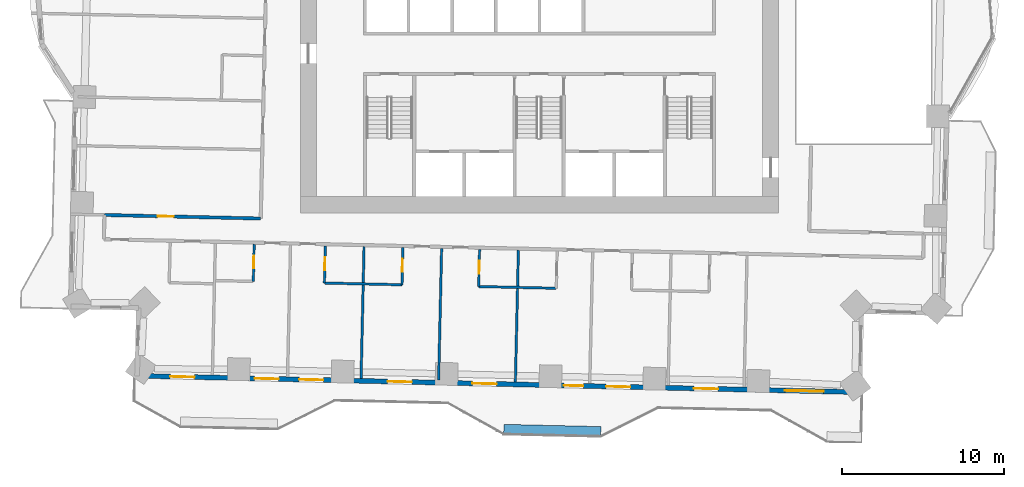
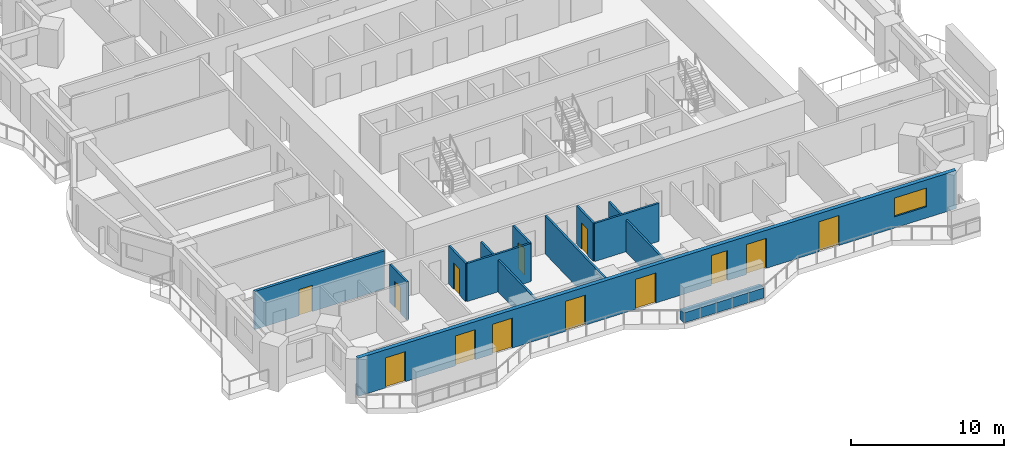
# One storey, part 6 of 16: 13 doors, 12 walls, 1 window, 14 openings.
"""IFC4 building model written with IfcOpenShell, lengths in metres."""

import ifcopenshell
import ifcopenshell.guid

model = None  # the IFC model being written
_history = None  # IfcOwnerHistory: only IFC2X3 demands one
_inside = {}  # id of a spatial element -> (the spatial element, [elements in it])
_under = {}  # id of a project, library or spatial element -> (it, [spatial elements below it])
_declared = {}  # id of a project -> (the project, [libraries it declares])
_typed = {}  # id of a type object -> (the type object, [elements of that type])
_made_of = {}  # id of a material, layer set ... -> (it, [elements and type objects made of it])


def new_model(schema):
    """Start an empty IFC model of exactly this schema.

    Asked for "IFC4X3", IfcOpenShell would pick the latest addendum, in which some entities
    have other attributes; the version numbers below select the first issue.
    IFC2X3 requires an IfcOwnerHistory on every rooted entity: one is made here for all.
    """
    global model, _history
    if schema == "IFC4X3":
        model = ifcopenshell.file(schema_version=(4, 3, 0, 0))
    else:
        model = ifcopenshell.file(schema=schema)
    _inside.clear()
    _under.clear()
    _declared.clear()
    _typed.clear()
    _made_of.clear()
    _history = None
    if model.schema == "IFC2X3":
        org = make("IfcOrganization", Name="unknown")
        user = make(
            "IfcPersonAndOrganization",
            ThePerson=make("IfcPerson", FamilyName="unknown"),
            TheOrganization=org,
        )
        app = make(
            "IfcApplication",
            ApplicationDeveloper=org,
            Version="unknown",
            ApplicationFullName="unknown",
            ApplicationIdentifier="unknown",
        )
        _history = make(
            "IfcOwnerHistory",
            OwningUser=user,
            OwningApplication=app,
            ChangeAction="ADDED",
            CreationDate=0,
        )
    return model


def make(cls, **values):
    """One entity of the class cls with the attributes given. An attribute that is None is left unset."""
    return model.create_entity(
        cls, **{name: value for name, value in values.items() if value is not None}
    )


def rooted(cls, **values):
    """An entity with a GlobalId (a new one), such as an element, a storey or a relation."""
    return make(cls, GlobalId=ifcopenshell.guid.new(), OwnerHistory=_history, **values)


def si_unit(unit_type, name, prefix=None):
    """IfcSIUnit, for example si_unit("LENGTHUNIT", "METRE", prefix="MILLI")."""
    return make("IfcSIUnit", UnitType=unit_type, Prefix=prefix, Name=name)


def assignment(units):
    """IfcUnitAssignment: the units of a project."""
    return None if units is None else make("IfcUnitAssignment", Units=units)


def point(xyz):
    """IfcCartesianPoint."""
    return None if xyz is None else make("IfcCartesianPoint", Coordinates=xyz)


def direction(xyz):
    """IfcDirection."""
    return None if xyz is None else make("IfcDirection", DirectionRatios=xyz)


def frame(location, z_axis=None, x_axis=None):
    """IfcAxis2Placement3D, a coordinate frame: its origin and axes. An axis left out is left unset."""
    return make(
        "IfcAxis2Placement3D",
        Location=point(location),
        Axis=direction(z_axis),
        RefDirection=direction(x_axis),
    )


def frame_2d(location, x_axis=None):
    """IfcAxis2Placement2D, a coordinate frame in the plane: its origin and x axis."""
    return make(
        "IfcAxis2Placement2D", Location=point(location), RefDirection=direction(x_axis)
    )


def origin():
    """The frame at (0, 0, 0) with its axes left unset."""
    return frame((0.0, 0.0, 0.0))


def place(relative_to, where):
    """IfcLocalPlacement: puts the frame where relative to a parent placement (None: the world)."""
    return make(
        "IfcLocalPlacement", PlacementRelTo=relative_to, RelativePlacement=where
    )


def context(
    kind, dimensions, precision=None, world=None, true_north=None, identifier=None
):
    """IfcGeometricRepresentationContext, for example the 3D "Model" context."""
    return make(
        "IfcGeometricRepresentationContext",
        ContextIdentifier=identifier,
        ContextType=kind,
        CoordinateSpaceDimension=dimensions,
        Precision=precision,
        WorldCoordinateSystem=world,
        TrueNorth=true_north,
    )


def subcontext(parent, identifier, kind, view, scale=None):
    """IfcGeometricRepresentationSubContext, for example "Body" below "Model"."""
    return make(
        "IfcGeometricRepresentationSubContext",
        ContextIdentifier=identifier,
        ContextType=kind,
        ParentContext=parent,
        TargetScale=scale,
        TargetView=view,
    )


def project(units=None, contexts=None):
    """IfcProject with its units and contexts."""
    return rooted(
        "IfcProject",
        Name="project",
        RepresentationContexts=contexts,
        UnitsInContext=assignment(units),
    )


def spatial(cls, under=None, at=None, **own):
    """A site, building, storey or space (cls), placed at a placement, below another one or the project."""
    s = rooted(cls, ObjectPlacement=at, **own)
    if under is not None:
        _under.setdefault(under.id(), (under, []))[1].append(s)
    return s


def profile(cls, at=None, kind="AREA", **sizes):
    """A parametric profile (cls). Its sizes go by their IFC names, for example OverallWidth=200.0."""
    return make(cls, ProfileType=kind, Position=at, **sizes)


def rectangle(**sizes):
    """IfcRectangleProfileDef."""
    return profile("IfcRectangleProfileDef", **sizes)


def extrude(swept, where, along, depth):
    """IfcExtrudedAreaSolid: the profile swept, set in the frame where, extruded along a direction by depth."""
    return make(
        "IfcExtrudedAreaSolid",
        SweptArea=swept,
        Position=where,
        ExtrudedDirection=direction(along),
        Depth=depth,
    )


def shape(context_of_items, identifier, shape_type, items):
    """IfcShapeRepresentation: the items that make up one representation, for example the "Body"."""
    return make(
        "IfcShapeRepresentation",
        ContextOfItems=context_of_items,
        RepresentationIdentifier=identifier,
        RepresentationType=shape_type,
        Items=items,
    )


def material(Name=None, Category=None):
    """IfcMaterial."""
    return make("IfcMaterial", Name=Name, Category=Category)


def layer(
    of_material, thickness, ventilated=None, Name=None, Category=None, Priority=None
):
    """IfcMaterialLayer: one layer of a wall or slab, of a material (None: an air gap)."""
    return make(
        "IfcMaterialLayer",
        Material=of_material,
        LayerThickness=thickness,
        IsVentilated=ventilated,
        Name=Name,
        Category=Category,
        Priority=Priority,
    )


def layer_set(layers, Name=None):
    """IfcMaterialLayerSet."""
    return make("IfcMaterialLayerSet", MaterialLayers=layers, LayerSetName=Name)


def made_of(thing, what):
    """Note that an element or type object is made of a material, layer set ...; save() writes the relation."""
    if what is not None:
        _made_of.setdefault(what.id(), (what, []))[1].append(thing)
    return thing


def type_object(cls, material=None, **own):
    """A type object (cls), such as IfcWallType, which elements share."""
    return made_of(rooted(cls, **own), material)


def element(
    cls,
    number,
    at=None,
    inside=None,
    cuts=None,
    type_object=None,
    material=None,
    context=None,
    identifier="Body",
    shape_type=None,
    held_by="IfcProductDefinitionShape",
    body=None,
    shapes=None,
    **own,
):
    """One element of the class cls, such as IfcWall. Its Tag is "e" and its number.

    at: its placement. inside: the storey or other place that contains it. cuts: it is an
    opening in that element (IfcRelVoidsElement). A single representation is given by context,
    identifier, shape_type and body (its items); several are given by shapes. held_by: the class
    of the entity that holds the representations. save() writes the other relations.
    """
    e = rooted(cls, Tag="e%d" % number, ObjectPlacement=at, **own)
    if body is not None:
        shapes = [shape(context, identifier, shape_type, body)]
    if shapes is not None:
        e.Representation = make(held_by, Representations=shapes)
    if inside is not None:
        _inside.setdefault(inside.id(), (inside, []))[1].append(e)
    if cuts is not None:
        rooted(
            "IfcRelVoidsElement", RelatingBuildingElement=cuts, RelatedOpeningElement=e
        )
    if type_object is not None:
        _typed.setdefault(type_object.id(), (type_object, []))[1].append(e)
    return made_of(e, material)


def fill(opening, filler):
    """IfcRelFillsElement: the door or window that sits in an opening."""
    return rooted(
        "IfcRelFillsElement",
        RelatingOpeningElement=opening,
        RelatedBuildingElement=filler,
    )


def aggregate(whole, parts):
    """IfcRelAggregates: a whole, such as a stair, and the parts it consists of."""
    return rooted("IfcRelAggregates", RelatingObject=whole, RelatedObjects=parts)


def save(model, path):
    """Write the relations noted so far, then the file.

    IfcRelAggregates (storeys below a building ...), IfcRelContainedInSpatialStructure (elements
    in a storey), IfcRelDefinesByType, IfcRelAssociatesMaterial and IfcRelDeclares: one each for
    every whole, place, type object, material and project.
    """
    for whole, parts in _under.values():
        aggregate(whole, parts)
    for where, things in _inside.values():
        rooted(
            "IfcRelContainedInSpatialStructure",
            RelatedElements=things,
            RelatingStructure=where,
        )
    for kind, things in _typed.values():
        rooted("IfcRelDefinesByType", RelatedObjects=things, RelatingType=kind)
    for what, things in _made_of.values():
        rooted("IfcRelAssociatesMaterial", RelatedObjects=things, RelatingMaterial=what)
    for by, libraries in _declared.values():
        rooted("IfcRelDeclares", RelatingContext=by, RelatedDefinitions=libraries)
    model.write(path)


model = new_model("IFC4")

# Units and contexts
model_context = context("Model", 3, precision=1e-05, world=origin(), true_north=direction((0.0, 1.0)))
body_context = subcontext(model_context, "Body", "Model", "MODEL_VIEW")
ifc_project = project(units=[si_unit("LENGTHUNIT", "METRE"), si_unit("AREAUNIT", "SQUARE_METRE"), si_unit("VOLUMEUNIT", "CUBIC_METRE"), si_unit("PLANEANGLEUNIT", "RADIAN"), si_unit("MASSUNIT", "GRAM", prefix="KILO")], contexts=[model_context])

# Site, building, storey
site_placement = place(None, origin())
site = spatial("IfcSite", under=ifc_project, at=site_placement, CompositionType="ELEMENT")
building_placement = place(site_placement, origin())
building = spatial("IfcBuilding", under=site, at=building_placement, Name="Mangrove Gate Tower", CompositionType="ELEMENT")
storey_placement = place(building_placement, frame((0.0, 0.0, 109.10009765625)))
storey = spatial("IfcBuildingStorey", under=building, at=storey_placement, Name="L27", CompositionType="ELEMENT", Elevation=109.10009765625)

# Wall, opening, door
ifc_material_1 = material(Name="Gypsum board on steel stud, EI 60", Category="steel")
ifc_layer_1 = layer(ifc_material_1, 0.199951171875)
ifc_layer_set_1 = layer_set([ifc_layer_1], Name="Corridor wall EI 60")
wall_type_1 = type_object("IfcWallType", Name="Corridor wall EI 60", PredefinedType="PARTITIONING", material=ifc_layer_set_1)
wall_1_placement = place(storey_placement, frame((-26.9189453125, -11.928955078125, 0.0), z_axis=(0.0, 0.0, 1.0), x_axis=(0.999741418429, -0.022739751035, 0.0)))
wall_1 = element("IfcWall", 1, at=wall_1_placement, inside=storey, type_object=wall_type_1, Name="WALL-L27-026", PredefinedType="PARTITIONING", context=body_context, shape_type="SweptSolid", body=[
    extrude(rectangle(XDim=9.67333984375, YDim=0.199951171875, at=frame_2d((4.836669921875, 0.0))), origin(), (0.0, 0.0, 1.0), 3.0498046875),
])
opening_1_placement = place(wall_1_placement, frame((3.287109375, 0.0, 0.0)))
opening_1 = element("IfcOpeningElement", 2, at=opening_1_placement, cuts=wall_1, Name="Opening AD", PredefinedType="OPENING", context=body_context, shape_type="SweptSolid", body=[
    extrude(rectangle(XDim=1.0, YDim=2.10009765625, at=frame_2d((0.5, 1.050048828125))), frame((0.0, 0.10986328125, 0.0), z_axis=(0.0, -1.0, 0.0), x_axis=(1.0, 0.0, 0.0)), (0.0, 0.0, 1.0), 0.219970703125),
])
ifc_material_2 = material(Name="Timber door leaf", Category="wood")
door_type_1 = type_object("IfcDoorType", Name="Amenity door 1000", OperationType="SINGLE_SWING_LEFT", PredefinedType="DOOR", material=ifc_material_2)
door_1_placement = place(opening_1_placement, origin())
door_1 = element("IfcDoor", 3, at=door_1_placement, inside=storey, type_object=door_type_1, Name="DOOR-L27-LNG-c5a", OperationType="SINGLE_SWING_RIGHT", OverallHeight=2.10009765625, OverallWidth=1.0, PredefinedType="DOOR", context=body_context, shape_type="SweptSolid", body=[
    extrude(rectangle(XDim=1.0, YDim=2.10009765625, at=frame_2d((0.5, 1.050048828125))), frame((0.0, 0.02490234375, 0.0), z_axis=(0.0, -1.0, 0.0), x_axis=(1.0, 0.0, 0.0)), (0.0, 0.0, 1.0), 0.050048828125),
])
fill(opening_1, door_1)

# Wall, openings, doors, window
ifc_material_3 = material(Name="Limestone", Category="masonry")
ifc_layer_2 = layer(ifc_material_3, 0.0400390625, Name="Limestone cladding")
ifc_material_4 = material(Name="Ventilated air gap")
ifc_layer_3 = layer(ifc_material_4, 0.0400390625, Name="Ventilated cavity")
ifc_material_5 = material(Name="Mineral wool insulation")
ifc_layer_4 = layer(ifc_material_5, 0.06005859375, Name="Insulation")
ifc_material_6 = material(Name="Breather membrane")
ifc_layer_5 = layer(ifc_material_6, 0.001953125, Name="Breather membrane")
ifc_material_7 = material(Name="Concrete C20/25 blockwork", Category="masonry")
ifc_layer_6 = layer(ifc_material_7, 0.14990234375, Name="Blockwork backing wall")
ifc_material_8 = material(Name="Gypsum plaster")
ifc_layer_7 = layer(ifc_material_8, 0.008056640625, Name="Internal plaster")
ifc_layer_set_2 = layer_set([ifc_layer_2, ifc_layer_3, ifc_layer_4, ifc_layer_5, ifc_layer_6, ifc_layer_7], Name="External wall 300 limestone cladding")
wall_type_2 = type_object("IfcWallType", Name="External wall 300 limestone cladding", PredefinedType="SOLIDWALL", material=ifc_layer_set_2)
wall_2_placement = place(storey_placement, frame((-24.89404296875, -21.8779296875, 0.0), z_axis=(0.0, 0.0, 1.0), x_axis=(0.999742689045, -0.022683820265, 0.0)))
wall_2 = element("IfcWall", 4, at=wall_2_placement, inside=storey, type_object=wall_type_2, Name="WALL-L27-S13", PredefinedType="SOLIDWALL", context=body_context, shape_type="SweptSolid", body=[
    extrude(rectangle(XDim=44.70849609375, YDim=0.300048828125, at=frame_2d((22.354248046875, 0.0))), origin(), (0.0, 0.0, 1.0), 3.0498046875),
])
opening_2_placement = place(wall_2_placement, frame((2.051025390625, 0.0, 0.0)))
opening_2 = element("IfcOpeningElement", 5, at=opening_2_placement, cuts=wall_2, Name="Opening BD1", PredefinedType="OPENING", context=body_context, shape_type="SweptSolid", body=[
    extrude(rectangle(XDim=1.5, YDim=2.39990234375, at=frame_2d((0.75, 1.199951171875))), frame((0.0, 0.159912109375, 0.0), z_axis=(0.0, -1.0, 0.0), x_axis=(1.0, 0.0, 0.0)), (0.0, 0.0, 1.0), 0.320068359375),
])
opening_3_placement = place(wall_2_placement, frame((7.264892578125, 0.0, 0.0)))
opening_3 = element("IfcOpeningElement", 6, at=opening_3_placement, cuts=wall_2, Name="Opening BD1", PredefinedType="OPENING", context=body_context, shape_type="SweptSolid", body=[
    extrude(rectangle(XDim=1.5, YDim=2.39990234375, at=frame_2d((0.75, 1.199951171875))), frame((0.0, 0.159912109375, 0.0), z_axis=(0.0, -1.0, 0.0), x_axis=(1.0, 0.0, 0.0)), (0.0, 0.0, 1.0), 0.320068359375),
])
opening_4_placement = place(wall_2_placement, frame((10.030029296875, 0.0, 0.0)))
opening_4 = element("IfcOpeningElement", 7, at=opening_4_placement, cuts=wall_2, Name="Opening BD1", PredefinedType="OPENING", context=body_context, shape_type="SweptSolid", body=[
    extrude(rectangle(XDim=1.5, YDim=2.39990234375, at=frame_2d((0.75, 1.199951171875))), frame((0.0, 0.159912109375, 0.0), z_axis=(0.0, -1.0, 0.0), x_axis=(1.0, 0.0, 0.0)), (0.0, 0.0, 1.0), 0.320068359375),
])
opening_5_placement = place(wall_2_placement, frame((15.5, 0.0, 0.0)))
opening_5 = element("IfcOpeningElement", 8, at=opening_5_placement, cuts=wall_2, Name="Opening BD1", PredefinedType="OPENING", context=body_context, shape_type="SweptSolid", body=[
    extrude(rectangle(XDim=1.5, YDim=2.39990234375, at=frame_2d((0.75, 1.199951171875))), frame((0.0, 0.159912109375, 0.0), z_axis=(0.0, -1.0, 0.0), x_axis=(1.0, 0.0, 0.0)), (0.0, 0.0, 1.0), 0.320068359375),
])
opening_6_placement = place(wall_2_placement, frame((20.7451171875, 0.0, 0.0)))
opening_6 = element("IfcOpeningElement", 9, at=opening_6_placement, cuts=wall_2, Name="Opening BD1", PredefinedType="OPENING", context=body_context, shape_type="SweptSolid", body=[
    extrude(rectangle(XDim=1.5, YDim=2.39990234375, at=frame_2d((0.75, 1.199951171875))), frame((0.0, 0.159912109375, 0.0), z_axis=(0.0, -1.0, 0.0), x_axis=(1.0, 0.0, 0.0)), (0.0, 0.0, 1.0), 0.320068359375),
])
opening_7_placement = place(wall_2_placement, frame((26.409912109375, 0.0, 0.0)))
opening_7 = element("IfcOpeningElement", 10, at=opening_7_placement, cuts=wall_2, Name="Opening BD2", PredefinedType="OPENING", context=body_context, shape_type="SweptSolid", body=[
    extrude(rectangle(XDim=1.199951171875, YDim=2.39990234375, at=frame_2d((0.60009765625, 1.199951171875))), frame((0.0, 0.159912109375, 0.0), z_axis=(0.0, -1.0, 0.0), x_axis=(1.0, 0.0, 0.0)), (0.0, 0.0, 1.0), 0.320068359375),
])
opening_8_placement = place(wall_2_placement, frame((29.02392578125, 0.0, 0.0)))
opening_8 = element("IfcOpeningElement", 11, at=opening_8_placement, cuts=wall_2, Name="Opening BD1", PredefinedType="OPENING", context=body_context, shape_type="SweptSolid", body=[
    extrude(rectangle(XDim=1.5, YDim=2.39990234375, at=frame_2d((0.75, 1.199951171875))), frame((0.0, 0.159912109375, 0.0), z_axis=(0.0, -1.0, 0.0), x_axis=(1.0, 0.0, 0.0)), (0.0, 0.0, 1.0), 0.320068359375),
])
opening_9_placement = place(wall_2_placement, frame((34.449951171875, 0.0, 0.0)))
opening_9 = element("IfcOpeningElement", 12, at=opening_9_placement, cuts=wall_2, Name="Opening BD1", PredefinedType="OPENING", context=body_context, shape_type="SweptSolid", body=[
    extrude(rectangle(XDim=1.5, YDim=2.39990234375, at=frame_2d((0.75, 1.199951171875))), frame((0.0, 0.159912109375, 0.0), z_axis=(0.0, -1.0, 0.0), x_axis=(1.0, 0.0, 0.0)), (0.0, 0.0, 1.0), 0.320068359375),
])
opening_10_placement = place(wall_2_placement, frame((40.0869140625, 0.0, 0.89990234375)))
opening_10 = element("IfcOpeningElement", 13, at=opening_10_placement, cuts=wall_2, Name="Opening W2", PredefinedType="OPENING", context=body_context, shape_type="SweptSolid", body=[
    extrude(rectangle(XDim=2.39990234375, YDim=1.5, at=frame_2d((1.199951171875, 0.75))), frame((0.0, 0.159912109375, 0.0), z_axis=(0.0, -1.0, 0.0), x_axis=(1.0, 0.0, 0.0)), (0.0, 0.0, 1.0), 0.320068359375),
])
ifc_material_9 = material(Name="Aluminium frame with laminated clear glass", Category="aluminium")
door_type_2 = type_object("IfcDoorType", Name="Balcony sliding door 1200x2400", OperationType="SLIDING_TO_LEFT", PredefinedType="DOOR", material=ifc_material_9)
door_2_placement = place(opening_7_placement, origin())
door_2 = element("IfcDoor", 14, at=door_2_placement, inside=storey, type_object=door_type_2, Name="DOOR-L27-S13-6", OperationType="SLIDING_TO_LEFT", OverallHeight=2.39990234375, OverallWidth=1.199951171875, PredefinedType="DOOR", context=body_context, shape_type="SweptSolid", body=[
    extrude(rectangle(XDim=1.199951171875, YDim=2.39990234375, at=frame_2d((0.60009765625, 1.199951171875))), frame((0.0, 0.02490234375, 0.0), z_axis=(0.0, -1.0, 0.0), x_axis=(1.0, 0.0, 0.0)), (0.0, 0.0, 1.0), 0.050048828125),
])
fill(opening_7, door_2)
ifc_material_10 = material(Name="Aluminium frame with laminated clear glass", Category="aluminium")
door_type_3 = type_object("IfcDoorType", Name="Balcony sliding door 1500x2400", OperationType="SLIDING_TO_LEFT", PredefinedType="DOOR", material=ifc_material_10)
door_3_placement = place(opening_2_placement, origin())
door_3 = element("IfcDoor", 15, at=door_3_placement, inside=storey, type_object=door_type_3, Name="DOOR-L27-S13-1", OperationType="SLIDING_TO_LEFT", OverallHeight=2.39990234375, OverallWidth=1.5, PredefinedType="DOOR", context=body_context, shape_type="SweptSolid", body=[
    extrude(rectangle(XDim=1.5, YDim=2.39990234375, at=frame_2d((0.75, 1.199951171875))), frame((0.0, 0.02490234375, 0.0), z_axis=(0.0, -1.0, 0.0), x_axis=(1.0, 0.0, 0.0)), (0.0, 0.0, 1.0), 0.050048828125),
])
fill(opening_2, door_3)
door_4_placement = place(opening_3_placement, origin())
door_4 = element("IfcDoor", 16, at=door_4_placement, inside=storey, type_object=door_type_3, Name="DOOR-L27-S13-2", OperationType="SLIDING_TO_LEFT", OverallHeight=2.39990234375, OverallWidth=1.5, PredefinedType="DOOR", context=body_context, shape_type="SweptSolid", body=[
    extrude(rectangle(XDim=1.5, YDim=2.39990234375, at=frame_2d((0.75, 1.199951171875))), frame((0.0, 0.02490234375, 0.0), z_axis=(0.0, -1.0, 0.0), x_axis=(1.0, 0.0, 0.0)), (0.0, 0.0, 1.0), 0.050048828125),
])
fill(opening_3, door_4)
door_5_placement = place(opening_4_placement, origin())
door_5 = element("IfcDoor", 17, at=door_5_placement, inside=storey, type_object=door_type_3, Name="DOOR-L27-S13-3", OperationType="SLIDING_TO_LEFT", OverallHeight=2.39990234375, OverallWidth=1.5, PredefinedType="DOOR", context=body_context, shape_type="SweptSolid", body=[
    extrude(rectangle(XDim=1.5, YDim=2.39990234375, at=frame_2d((0.75, 1.199951171875))), frame((0.0, 0.02490234375, 0.0), z_axis=(0.0, -1.0, 0.0), x_axis=(1.0, 0.0, 0.0)), (0.0, 0.0, 1.0), 0.050048828125),
])
fill(opening_4, door_5)
door_6_placement = place(opening_5_placement, origin())
door_6 = element("IfcDoor", 18, at=door_6_placement, inside=storey, type_object=door_type_3, Name="DOOR-L27-S13-4", OperationType="SLIDING_TO_LEFT", OverallHeight=2.39990234375, OverallWidth=1.5, PredefinedType="DOOR", context=body_context, shape_type="SweptSolid", body=[
    extrude(rectangle(XDim=1.5, YDim=2.39990234375, at=frame_2d((0.75, 1.199951171875))), frame((0.0, 0.02490234375, 0.0), z_axis=(0.0, -1.0, 0.0), x_axis=(1.0, 0.0, 0.0)), (0.0, 0.0, 1.0), 0.050048828125),
])
fill(opening_5, door_6)
door_7_placement = place(opening_6_placement, origin())
door_7 = element("IfcDoor", 19, at=door_7_placement, inside=storey, type_object=door_type_3, Name="DOOR-L27-S13-5", OperationType="SLIDING_TO_LEFT", OverallHeight=2.39990234375, OverallWidth=1.5, PredefinedType="DOOR", context=body_context, shape_type="SweptSolid", body=[
    extrude(rectangle(XDim=1.5, YDim=2.39990234375, at=frame_2d((0.75, 1.199951171875))), frame((0.0, 0.02490234375, 0.0), z_axis=(0.0, -1.0, 0.0), x_axis=(1.0, 0.0, 0.0)), (0.0, 0.0, 1.0), 0.050048828125),
])
fill(opening_6, door_7)
door_8_placement = place(opening_8_placement, origin())
door_8 = element("IfcDoor", 20, at=door_8_placement, inside=storey, type_object=door_type_3, Name="DOOR-L27-S13-7", OperationType="SLIDING_TO_LEFT", OverallHeight=2.39990234375, OverallWidth=1.5, PredefinedType="DOOR", context=body_context, shape_type="SweptSolid", body=[
    extrude(rectangle(XDim=1.5, YDim=2.39990234375, at=frame_2d((0.75, 1.199951171875))), frame((0.0, 0.02490234375, 0.0), z_axis=(0.0, -1.0, 0.0), x_axis=(1.0, 0.0, 0.0)), (0.0, 0.0, 1.0), 0.050048828125),
])
fill(opening_8, door_8)
door_9_placement = place(opening_9_placement, origin())
door_9 = element("IfcDoor", 21, at=door_9_placement, inside=storey, type_object=door_type_3, Name="DOOR-L27-S13-8", OperationType="SLIDING_TO_LEFT", OverallHeight=2.39990234375, OverallWidth=1.5, PredefinedType="DOOR", context=body_context, shape_type="SweptSolid", body=[
    extrude(rectangle(XDim=1.5, YDim=2.39990234375, at=frame_2d((0.75, 1.199951171875))), frame((0.0, 0.02490234375, 0.0), z_axis=(0.0, -1.0, 0.0), x_axis=(1.0, 0.0, 0.0)), (0.0, 0.0, 1.0), 0.050048828125),
])
fill(opening_9, door_9)
ifc_material_11 = material(Name="Aluminium frame with double-glazed low-e glass", Category="aluminium")
window_type = type_object("IfcWindowType", Name="Corner room window 2400x1500", PartitioningType="DOUBLE_PANEL_VERTICAL", PredefinedType="WINDOW", material=ifc_material_11)
window_placement = place(opening_10_placement, origin())
window = element("IfcWindow", 22, at=window_placement, inside=storey, type_object=window_type, Name="WIN-L27-S13-9", OverallHeight=1.5, OverallWidth=2.39990234375, PartitioningType="DOUBLE_PANEL_VERTICAL", PredefinedType="WINDOW", context=body_context, shape_type="SweptSolid", body=[
    extrude(rectangle(XDim=2.39990234375, YDim=1.5, at=frame_2d((1.199951171875, 0.75))), frame((0.0, 0.030029296875, 0.0), z_axis=(0.0, -1.0, 0.0), x_axis=(1.0, 0.0, 0.0)), (0.0, 0.0, 1.0), 0.06005859375),
])
fill(opening_10, window)

# Walls
ifc_material_12 = material(Name="Gypsum board on steel stud, EI 60", Category="steel")
ifc_layer_8 = layer(ifc_material_12, 0.14990234375)
ifc_layer_set_3 = layer_set([ifc_layer_8], Name="Party wall 150 EI 60")
wall_type_3 = type_object("IfcWallType", Name="Party wall 150 EI 60", PredefinedType="PARTITIONING", material=ifc_layer_set_3)
wall_3_placement = place(storey_placement, frame((-11.0400390625, -22.0419921875, 0.0), z_axis=(0.0, 0.0, 1.0), x_axis=(0.022706435224, 0.999742175663, 0.0)))
element("IfcWall", 23, at=wall_3_placement, inside=storey, type_object=wall_type_3, Name="WALL-L27-003", PredefinedType="PARTITIONING", context=body_context, shape_type="SweptSolid", body=[
    extrude(rectangle(XDim=8.150146484375, YDim=0.14990234375, at=frame_2d((4.0751953125, 0.0))), origin(), (0.0, 0.0, 1.0), 2.5498046875),
])
wall_4_placement = place(storey_placement, frame((-6.240966796875, -22.15087890625, 0.0), z_axis=(0.0, 0.0, 1.0), x_axis=(0.022706435224, 0.999742175663, 0.0)))
element("IfcWall", 24, at=wall_4_placement, inside=storey, type_object=wall_type_3, Name="WALL-L27-004", PredefinedType="PARTITIONING", context=body_context, shape_type="SweptSolid", body=[
    extrude(rectangle(XDim=8.150146484375, YDim=0.14990234375, at=frame_2d((4.0751953125, 0.0))), origin(), (0.0, 0.0, 1.0), 3.0498046875),
])
wall_5_placement = place(storey_placement, frame((-1.491943359375, -22.259033203125, 0.0), z_axis=(0.0, 0.0, 1.0), x_axis=(0.022706435224, 0.999742175663, 0.0)))
element("IfcWall", 25, at=wall_5_placement, inside=storey, type_object=wall_type_3, Name="WALL-L27-005", PredefinedType="PARTITIONING", context=body_context, shape_type="SweptSolid", body=[
    extrude(rectangle(XDim=8.150146484375, YDim=0.14990234375, at=frame_2d((4.0751953125, 0.0))), origin(), (0.0, 0.0, 1.0), 2.5498046875),
])

# Wall, opening, door
wall_6_placement = place(storey_placement, frame((-17.705078125, -16.0390625, 0.0), z_axis=(0.0, 0.0, 1.0), x_axis=(0.022612884682, 0.999744296031, 0.0)))
wall_6 = element("IfcWall", 26, at=wall_6_placement, inside=storey, type_object=wall_type_3, Name="WALL-L27-012", PredefinedType="PARTITIONING", context=body_context, shape_type="SweptSolid", body=[
    extrude(rectangle(XDim=2.299560546875, YDim=0.14990234375, at=frame_2d((1.14990234375, 0.0))), origin(), (0.0, 0.0, 1.0), 3.0498046875),
])
opening_11_placement = place(wall_6_placement, frame((0.800048828125, 0.0, 0.0)))
opening_11 = element("IfcOpeningElement", 27, at=opening_11_placement, cuts=wall_6, Name="Opening ED", PredefinedType="OPENING", context=body_context, shape_type="SweptSolid", body=[
    extrude(rectangle(XDim=0.800048828125, YDim=2.10009765625, at=frame_2d((0.39990234375, 1.050048828125))), frame((0.0, 0.0849609375, 0.0), z_axis=(0.0, -1.0, 0.0), x_axis=(1.0, 0.0, 0.0)), (0.0, 0.0, 1.0), 0.169921875),
])
ifc_material_13 = material(Name="Timber door leaf", Category="wood")
door_type_4 = type_object("IfcDoorType", Name="En-suite door 800", OperationType="SINGLE_SWING_LEFT", PredefinedType="DOOR", material=ifc_material_13)
door_10_placement = place(opening_11_placement, origin())
door_10 = element("IfcDoor", 28, at=door_10_placement, inside=storey, type_object=door_type_4, Name="DOOR-L27-ENS-c101", OperationType="SINGLE_SWING_LEFT", OverallHeight=2.10009765625, OverallWidth=0.800048828125, PredefinedType="DOOR", context=body_context, shape_type="SweptSolid", body=[
    extrude(rectangle(XDim=0.800048828125, YDim=2.10009765625, at=frame_2d((0.39990234375, 1.050048828125))), frame((0.0, 0.02490234375, 0.0), z_axis=(0.0, -1.0, 0.0), x_axis=(1.0, 0.0, 0.0)), (0.0, 0.0, 1.0), 0.050048828125),
])
fill(opening_11, door_10)

# Wall
wall_7_placement = place(storey_placement, frame((-13.31103515625, -16.138916015625, 0.0), z_axis=(0.0, 0.0, 1.0), x_axis=(0.99974154664, -0.022734113616, 0.0)))
element("IfcWall", 29, at=wall_7_placement, inside=storey, type_object=wall_type_3, Name="WALL-L27-013", PredefinedType="PARTITIONING", context=body_context, shape_type="SweptSolid", body=[
    extrude(rectangle(XDim=4.80029296875, YDim=0.14990234375, at=frame_2d((2.400146484375, 0.0))), origin(), (0.0, 0.0, 1.0), 3.0498046875),
])

# Wall, opening, door
wall_8_placement = place(storey_placement, frame((-13.306884765625, -16.138916015625, 0.0), z_axis=(0.0, 0.0, 1.0), x_axis=(0.023039761813, 0.999734549456, 0.0)))
wall_8 = element("IfcWall", 30, at=wall_8_placement, inside=storey, type_object=wall_type_3, Name="WALL-L27-014", PredefinedType="PARTITIONING", context=body_context, shape_type="SweptSolid", body=[
    extrude(rectangle(XDim=2.299560546875, YDim=0.14990234375, at=frame_2d((1.14990234375, 0.0))), origin(), (0.0, 0.0, 1.0), 3.0498046875),
])
opening_12_placement = place(wall_8_placement, frame((0.800048828125, 0.0, 0.0)))
opening_12 = element("IfcOpeningElement", 31, at=opening_12_placement, cuts=wall_8, Name="Opening ED", PredefinedType="OPENING", context=body_context, shape_type="SweptSolid", body=[
    extrude(rectangle(XDim=0.800048828125, YDim=2.10009765625, at=frame_2d((0.39990234375, 1.050048828125))), frame((0.0, 0.0849609375, 0.0), z_axis=(0.0, -1.0, 0.0), x_axis=(1.0, 0.0, 0.0)), (0.0, 0.0, 1.0), 0.169921875),
])
door_11_placement = place(opening_12_placement, origin())
door_11 = element("IfcDoor", 32, at=door_11_placement, inside=storey, type_object=door_type_4, Name="DOOR-L27-ENS-c102", OperationType="SINGLE_SWING_RIGHT", OverallHeight=2.10009765625, OverallWidth=0.800048828125, PredefinedType="DOOR", context=body_context, shape_type="SweptSolid", body=[
    extrude(rectangle(XDim=0.800048828125, YDim=2.10009765625, at=frame_2d((0.39990234375, 1.050048828125))), frame((0.0, 0.02490234375, 0.0), z_axis=(0.0, -1.0, 0.0), x_axis=(1.0, 0.0, 0.0)), (0.0, 0.0, 1.0), 0.050048828125),
])
fill(opening_12, door_11)

wall_9_placement = place(storey_placement, frame((-8.508056640625, -16.248046875, 0.0), z_axis=(0.0, 0.0, 1.0), x_axis=(0.022603288534, 0.999744513037, 0.0)))
wall_9 = element("IfcWall", 33, at=wall_9_placement, inside=storey, type_object=wall_type_3, Name="WALL-L27-015", PredefinedType="PARTITIONING", context=body_context, shape_type="SweptSolid", body=[
    extrude(rectangle(XDim=2.300537109375, YDim=0.14990234375, at=frame_2d((1.150390625, 0.0))), origin(), (0.0, 0.0, 1.0), 3.0498046875),
])
opening_13_placement = place(wall_9_placement, frame((0.800048828125, 0.0, 0.0)))
opening_13 = element("IfcOpeningElement", 34, at=opening_13_placement, cuts=wall_9, Name="Opening ED", PredefinedType="OPENING", context=body_context, shape_type="SweptSolid", body=[
    extrude(rectangle(XDim=0.800048828125, YDim=2.10009765625, at=frame_2d((0.39990234375, 1.050048828125))), frame((0.0, 0.0849609375, 0.0), z_axis=(0.0, -1.0, 0.0), x_axis=(1.0, 0.0, 0.0)), (0.0, 0.0, 1.0), 0.169921875),
])
door_12_placement = place(opening_13_placement, origin())
door_12 = element("IfcDoor", 35, at=door_12_placement, inside=storey, type_object=door_type_4, Name="DOOR-L27-ENS-c103", OperationType="SINGLE_SWING_LEFT", OverallHeight=2.10009765625, OverallWidth=0.800048828125, PredefinedType="DOOR", context=body_context, shape_type="SweptSolid", body=[
    extrude(rectangle(XDim=0.800048828125, YDim=2.10009765625, at=frame_2d((0.39990234375, 1.050048828125))), frame((0.0, 0.02490234375, 0.0), z_axis=(0.0, -1.0, 0.0), x_axis=(1.0, 0.0, 0.0)), (0.0, 0.0, 1.0), 0.050048828125),
])
fill(opening_13, door_12)

# Wall
wall_10_placement = place(storey_placement, frame((-3.762939453125, -16.35595703125, 0.0), z_axis=(0.0, 0.0, 1.0), x_axis=(0.999746123934, -0.022531925768, 0.0)))
element("IfcWall", 36, at=wall_10_placement, inside=storey, type_object=wall_type_3, Name="WALL-L27-016", PredefinedType="PARTITIONING", context=body_context, shape_type="SweptSolid", body=[
    extrude(rectangle(XDim=4.800048828125, YDim=0.14990234375, at=frame_2d((2.39990234375, 0.0))), origin(), (0.0, 0.0, 1.0), 3.0498046875),
])

# Wall, opening, door
wall_11_placement = place(storey_placement, frame((-3.759033203125, -16.35595703125, 0.0), z_axis=(0.0, 0.0, 1.0), x_axis=(0.022603288534, 0.999744513037, 0.0)))
wall_11 = element("IfcWall", 37, at=wall_11_placement, inside=storey, type_object=wall_type_3, Name="WALL-L27-017", PredefinedType="PARTITIONING", context=body_context, shape_type="SweptSolid", body=[
    extrude(rectangle(XDim=2.300537109375, YDim=0.14990234375, at=frame_2d((1.150390625, 0.0))), origin(), (0.0, 0.0, 1.0), 3.0498046875),
])
opening_14_placement = place(wall_11_placement, frame((0.800048828125, 0.0, 0.0)))
opening_14 = element("IfcOpeningElement", 38, at=opening_14_placement, cuts=wall_11, Name="Opening ED", PredefinedType="OPENING", context=body_context, shape_type="SweptSolid", body=[
    extrude(rectangle(XDim=0.800048828125, YDim=2.10009765625, at=frame_2d((0.39990234375, 1.050048828125))), frame((0.0, 0.0849609375, 0.0), z_axis=(0.0, -1.0, 0.0), x_axis=(1.0, 0.0, 0.0)), (0.0, 0.0, 1.0), 0.169921875),
])
door_13_placement = place(opening_14_placement, origin())
door_13 = element("IfcDoor", 39, at=door_13_placement, inside=storey, type_object=door_type_4, Name="DOOR-L27-ENS-c204", OperationType="SINGLE_SWING_RIGHT", OverallHeight=2.10009765625, OverallWidth=0.800048828125, PredefinedType="DOOR", context=body_context, shape_type="SweptSolid", body=[
    extrude(rectangle(XDim=0.800048828125, YDim=2.10009765625, at=frame_2d((0.39990234375, 1.050048828125))), frame((0.0, 0.02490234375, 0.0), z_axis=(0.0, -1.0, 0.0), x_axis=(1.0, 0.0, 0.0)), (0.0, 0.0, 1.0), 0.050048828125),
])
fill(opening_14, door_13)

# Wall
ifc_material_14 = material(Name="Concrete C32/40", Category="concrete")
ifc_layer_9 = layer(ifc_material_14, 0.199951171875, Name="Planter trough wall")
ifc_material_15 = material(Name="Bituminous waterproofing membrane")
ifc_layer_10 = layer(ifc_material_15, 0.0048828125, Name="Waterproofing")
ifc_material_16 = material(Name="Drainage board and gravel")
ifc_layer_11 = layer(ifc_material_16, 0.044921875, Name="Drainage layer")
ifc_material_17 = material(Name="Planting soil")
ifc_layer_12 = layer(ifc_material_17, 0.300048828125, Name="Growing medium")
ifc_layer_set_4 = layer_set([ifc_layer_9, ifc_layer_10, ifc_layer_11, ifc_layer_12], Name="Planter wall 550 C32/40")
wall_type_4 = type_object("IfcWallType", Name="Planter wall 550 C32/40", PredefinedType="USERDEFINED", material=ifc_layer_set_4)
wall_12_placement = place(storey_placement, frame((-2.208984375, -25.157958984375, 0.0), z_axis=(0.0, 0.0, 1.0), x_axis=(0.999743178102, -0.022662255828, 0.0)))
element("IfcWall", 40, at=wall_12_placement, inside=storey, type_object=wall_type_4, Name="PLANTER L27 S1.1", ObjectType="PLANTER", PredefinedType="USERDEFINED", context=body_context, shape_type="SweptSolid", body=[
    extrude(rectangle(XDim=6.00048828125, YDim=0.550048828125, at=frame_2d((3.000244140625, 0.0))), origin(), (0.0, 0.0, 1.0), 0.7998046875),
])

save(model, "model.ifc")
